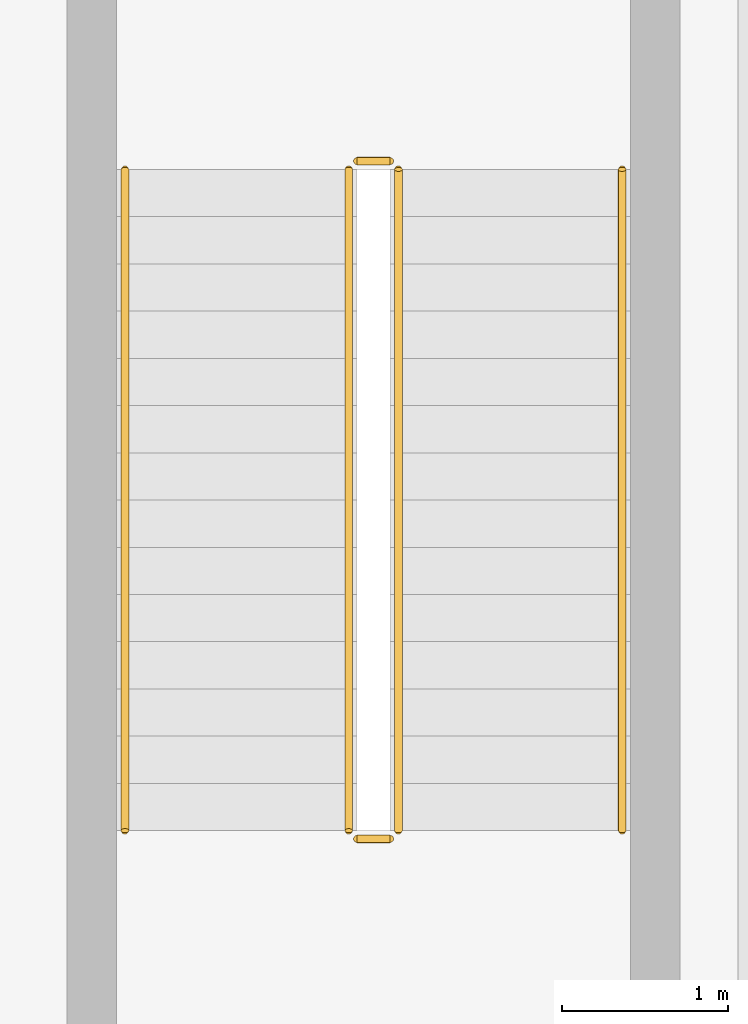
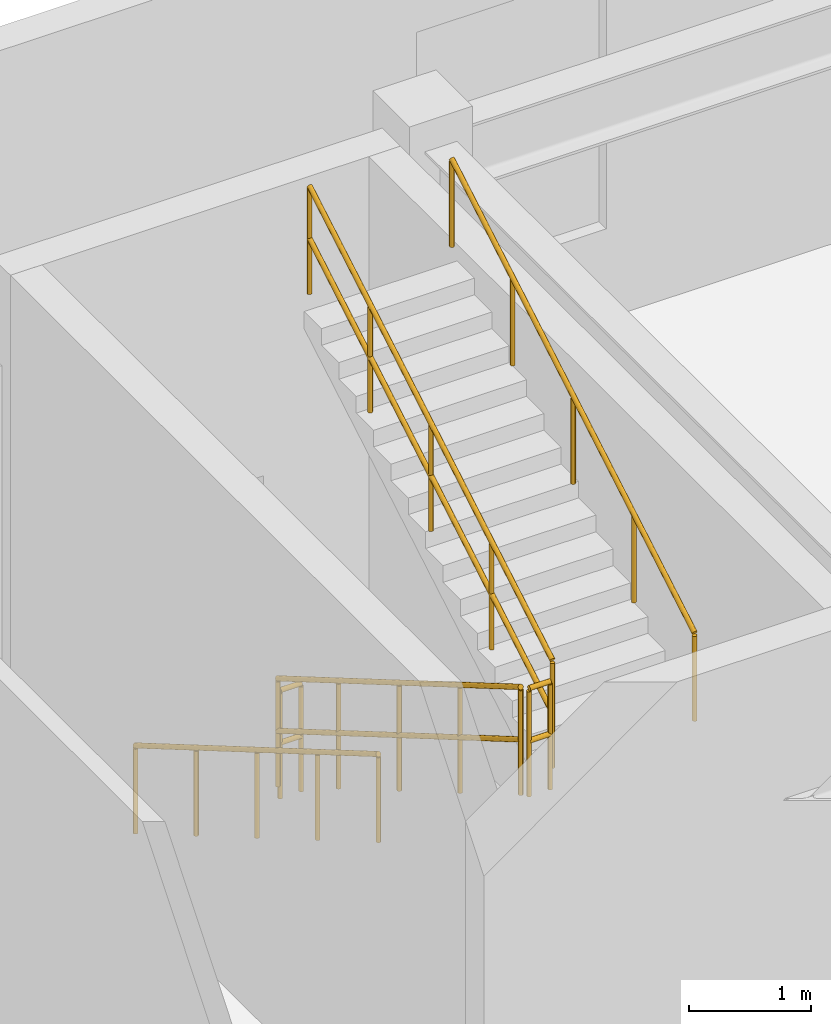
# One storey, part 9 of 10: 6 railings.
"""IFC4 building model written with IfcOpenShell, lengths in metres."""

from ifc_helpers import new_model, si_unit, direction, frame, origin, origin_2d, place, context, subcontext, project, spatial, circle, extrude, material, layer, layer_set, type_object, element, save


model = new_model("IFC4")

# Units and contexts
model_context = context("Model", 3, precision=1e-05, world=origin(), true_north=direction((0.0, 1.0)))
body_context = subcontext(model_context, "Body", "Model", "MODEL_VIEW")
ifc_project = project(units=[si_unit("LENGTHUNIT", "METRE"), si_unit("AREAUNIT", "SQUARE_METRE"), si_unit("VOLUMEUNIT", "CUBIC_METRE"), si_unit("PLANEANGLEUNIT", "RADIAN"), si_unit("MASSUNIT", "GRAM", prefix="KILO")], contexts=[model_context])

# Site, building, storey
site_placement = place(None, origin())
site = spatial("IfcSite", under=ifc_project, at=site_placement, CompositionType="ELEMENT")
building_placement = place(site_placement, origin())
building = spatial("IfcBuilding", under=site, at=building_placement, Name="Krantzveldt Concourse Tower", CompositionType="ELEMENT")
storey_placement = place(building_placement, frame((0.0, 0.0, 5.39990234375)))
storey = spatial("IfcBuildingStorey", under=building, at=storey_placement, Name="L01", CompositionType="ELEMENT", Elevation=5.39990234375)

# Railings
ifc_material = material(Name="Stainless steel 316L", Category="steel")
ifc_layer_1 = layer(ifc_material, 0.06005859375, Name="Stainless steel 316L", Category="steel")
ifc_layer_set_1 = layer_set([ifc_layer_1], Name="Stainless steel 316L (RL-GUARD-1120)")
railing_type_1 = type_object("IfcRailingType", Name="RL-GUARD-1120", PredefinedType="GUARDRAIL", material=ifc_layer_set_1)
railing_1_placement = place(storey_placement, frame((58.0, 48.14990234375, 0.166748046875)))
element("IfcRailing", 1, at=railing_1_placement, inside=storey, type_object=railing_type_1, Name="L01 ST-4 stair guard 1", PredefinedType="GUARDRAIL", context=body_context, shape_type="SweptSolid", body=[
    extrude(circle(Radius=0.02392578125, at=origin_2d()), frame((0.0, 0.0, 1.076171875), z_axis=(0.0, -0.863236243904, 0.504800145811), x_axis=(1.0, 0.0, 0.0)), (0.0, 0.0, 1.0), 4.6220703125),
    extrude(circle(Radius=0.02392578125, at=origin_2d()), frame((0.0, 0.0, 0.550048828125), z_axis=(0.0, -0.863236243904, 0.504800145811), x_axis=(1.0, 0.0, 0.0)), (0.0, 0.0, 1.0), 4.6220703125),
    extrude(circle(Radius=0.02099609375, at=origin_2d()), origin(), (0.0, 0.0, 1.0), 1.052001953125),
    extrude(circle(Radius=0.02099609375, at=origin_2d()), frame((0.0, -0.99755859375, 0.583251953125)), (0.0, 0.0, 1.0), 1.052001953125),
    extrude(circle(Radius=0.02099609375, at=origin_2d()), frame((0.0, -1.9951171875, 1.16650390625)), (0.0, 0.0, 1.0), 1.052001953125),
    extrude(circle(Radius=0.02099609375, at=origin_2d()), frame((0.0, -2.992431640625, 1.75)), (0.0, 0.0, 1.0), 1.052001953125),
    extrude(circle(Radius=0.02099609375, at=origin_2d()), frame((0.0, -3.989990234375, 2.333251953125)), (0.0, 0.0, 1.0), 1.052001953125),
])
railing_2_placement = place(storey_placement, frame((58.050048828125, 44.110107421875, 2.5)))
element("IfcRailing", 2, at=railing_2_placement, inside=storey, type_object=railing_type_1, Name="L01 ST-4 stair guard 2", PredefinedType="GUARDRAIL", context=body_context, shape_type="SweptSolid", body=[
    extrude(circle(Radius=0.02392578125, at=origin_2d()), frame((0.0, 0.0, 1.076171875), z_axis=(1.0, 0.0, 0.0), x_axis=(0.0, 1.0, 0.0)), (0.0, 0.0, 1.0), 0.199951171875),
    extrude(circle(Radius=0.02392578125, at=origin_2d()), frame((0.0, 0.0, 0.550048828125), z_axis=(1.0, 0.0, 0.0), x_axis=(0.0, 1.0, 0.0)), (0.0, 0.0, 1.0), 0.199951171875),
    extrude(circle(Radius=0.02099609375, at=origin_2d()), origin(), (0.0, 0.0, 1.0), 1.052001953125),
    extrude(circle(Radius=0.02099609375, at=origin_2d()), frame((0.199951171875, 0.0, 0.0)), (0.0, 0.0, 1.0), 1.052001953125),
])
railing_3_placement = place(storey_placement, frame((58.300048828125, 44.159912109375, 2.666748046875)))
element("IfcRailing", 3, at=railing_3_placement, inside=storey, type_object=railing_type_1, Name="L01 ST-4 stair guard 3", PredefinedType="GUARDRAIL", context=body_context, shape_type="SweptSolid", body=[
    extrude(circle(Radius=0.02392578125, at=origin_2d()), frame((0.0, 0.0, 1.076171875), z_axis=(0.0, 0.863236243904, 0.504800145811), x_axis=(-1.0, 0.0, 0.0)), (0.0, 0.0, 1.0), 4.6220703125),
    extrude(circle(Radius=0.02392578125, at=origin_2d()), frame((0.0, 0.0, 0.550048828125), z_axis=(0.0, 0.863236243904, 0.504800145811), x_axis=(-1.0, 0.0, 0.0)), (0.0, 0.0, 1.0), 4.6220703125),
    extrude(circle(Radius=0.02099609375, at=origin_2d()), origin(), (0.0, 0.0, 1.0), 1.052001953125),
    extrude(circle(Radius=0.02099609375, at=origin_2d()), frame((0.0, 0.99755859375, 0.583251953125)), (0.0, 0.0, 1.0), 1.052001953125),
    extrude(circle(Radius=0.02099609375, at=origin_2d()), frame((0.0, 1.9951171875, 1.16650390625)), (0.0, 0.0, 1.0), 1.052001953125),
    extrude(circle(Radius=0.02099609375, at=origin_2d()), frame((0.0, 2.992431640625, 1.75)), (0.0, 0.0, 1.0), 1.052001953125),
    extrude(circle(Radius=0.02099609375, at=origin_2d()), frame((0.0, 3.989990234375, 2.333251953125)), (0.0, 0.0, 1.0), 1.052001953125),
])
railing_4_placement = place(storey_placement, frame((58.050048828125, 48.199951171875, 0.0)))
element("IfcRailing", 4, at=railing_4_placement, inside=storey, type_object=railing_type_1, Name="L01 ST-4 stair guard 4", PredefinedType="GUARDRAIL", context=body_context, shape_type="SweptSolid", body=[
    extrude(circle(Radius=0.02392578125, at=origin_2d()), frame((0.0, 0.0, 1.076171875), z_axis=(1.0, 0.0, 0.0), x_axis=(0.0, 1.0, 0.0)), (0.0, 0.0, 1.0), 0.199951171875),
    extrude(circle(Radius=0.02392578125, at=origin_2d()), frame((0.0, 0.0, 0.550048828125), z_axis=(1.0, 0.0, 0.0), x_axis=(0.0, 1.0, 0.0)), (0.0, 0.0, 1.0), 0.199951171875),
    extrude(circle(Radius=0.02099609375, at=origin_2d()), origin(), (0.0, 0.0, 1.0), 1.052001953125),
    extrude(circle(Radius=0.02099609375, at=origin_2d()), frame((0.199951171875, 0.0, 0.0)), (0.0, 0.0, 1.0), 1.052001953125),
])
ifc_layer_2 = layer(ifc_material, 0.050048828125, Name="Stainless steel 316L", Category="steel")
ifc_layer_set_2 = layer_set([ifc_layer_2], Name="Stainless steel 316L (RL-HANDRAIL-920)")
railing_type_2 = type_object("IfcRailingType", Name="RL-HANDRAIL-920", PredefinedType="HANDRAIL", material=ifc_layer_set_2)
railing_5_placement = place(storey_placement, frame((56.64990234375, 48.14990234375, 0.166748046875)))
element("IfcRailing", 5, at=railing_5_placement, inside=storey, type_object=railing_type_2, Name="L01 ST-4 stair handrail 1", PredefinedType="HANDRAIL", context=body_context, shape_type="SweptSolid", body=[
    extrude(circle(Radius=0.02392578125, at=origin_2d()), frame((0.0, 0.0, 0.8759765625), z_axis=(0.0, -0.863236243904, 0.504800145811), x_axis=(1.0, 0.0, 0.0)), (0.0, 0.0, 1.0), 4.6220703125),
    extrude(circle(Radius=0.02099609375, at=origin_2d()), origin(), (0.0, 0.0, 1.0), 0.851806640625),
    extrude(circle(Radius=0.02099609375, at=origin_2d()), frame((0.0, -0.99755859375, 0.583251953125)), (0.0, 0.0, 1.0), 0.851806640625),
    extrude(circle(Radius=0.02099609375, at=origin_2d()), frame((0.0, -1.9951171875, 1.16650390625)), (0.0, 0.0, 1.0), 0.851806640625),
    extrude(circle(Radius=0.02099609375, at=origin_2d()), frame((0.0, -2.992431640625, 1.75)), (0.0, 0.0, 1.0), 0.851806640625),
    extrude(circle(Radius=0.02099609375, at=origin_2d()), frame((0.0, -3.989990234375, 2.333251953125)), (0.0, 0.0, 1.0), 0.851806640625),
])
railing_6_placement = place(storey_placement, frame((59.64990234375, 44.159912109375, 2.666748046875)))
element("IfcRailing", 6, at=railing_6_placement, inside=storey, type_object=railing_type_2, Name="L01 ST-4 stair handrail 2", PredefinedType="HANDRAIL", context=body_context, shape_type="SweptSolid", body=[
    extrude(circle(Radius=0.02392578125, at=origin_2d()), frame((0.0, 0.0, 0.8759765625), z_axis=(0.0, 0.863236243904, 0.504800145811), x_axis=(-1.0, 0.0, 0.0)), (0.0, 0.0, 1.0), 4.6220703125),
    extrude(circle(Radius=0.02099609375, at=origin_2d()), origin(), (0.0, 0.0, 1.0), 0.851806640625),
    extrude(circle(Radius=0.02099609375, at=origin_2d()), frame((0.0, 0.99755859375, 0.583251953125)), (0.0, 0.0, 1.0), 0.851806640625),
    extrude(circle(Radius=0.02099609375, at=origin_2d()), frame((0.0, 1.9951171875, 1.16650390625)), (0.0, 0.0, 1.0), 0.851806640625),
    extrude(circle(Radius=0.02099609375, at=origin_2d()), frame((0.0, 2.992431640625, 1.75)), (0.0, 0.0, 1.0), 0.851806640625),
    extrude(circle(Radius=0.02099609375, at=origin_2d()), frame((0.0, 3.989990234375, 2.333251953125)), (0.0, 0.0, 1.0), 0.851806640625),
])

save(model, "model.ifc")
